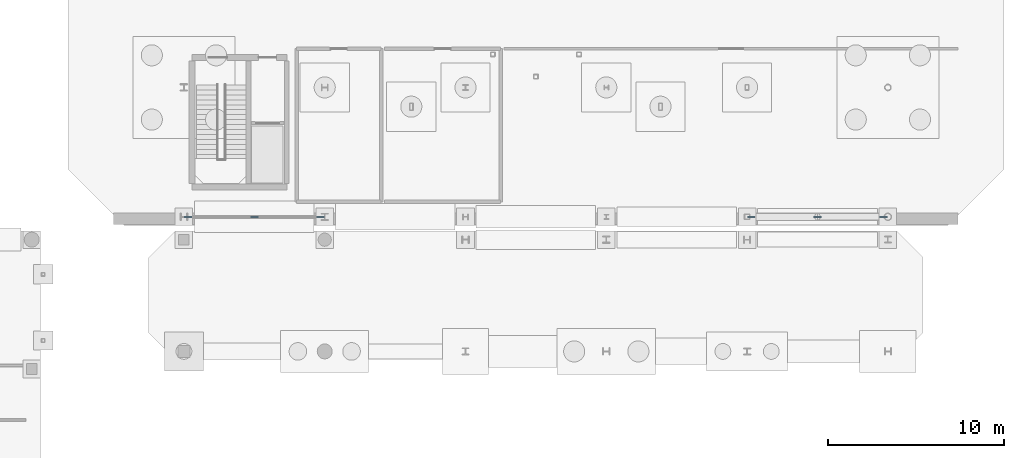
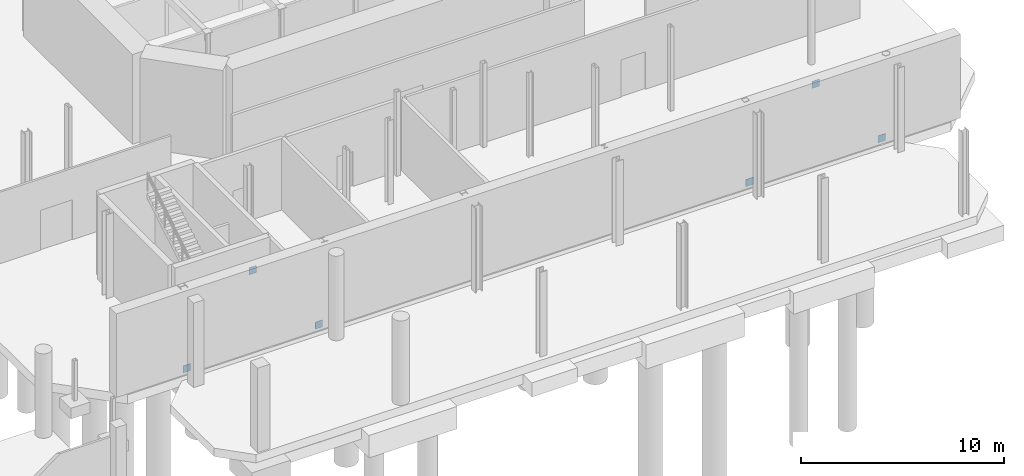
# One storey, part 26 of 33: 6 discrete accessories.
"""IFC4 building model written with IfcOpenShell, lengths in metres."""

import ifcopenshell
import ifcopenshell.guid

model = None  # the IFC model being written
_history = None  # IfcOwnerHistory: only IFC2X3 demands one
_inside = {}  # id of a spatial element -> (the spatial element, [elements in it])
_under = {}  # id of a project, library or spatial element -> (it, [spatial elements below it])
_declared = {}  # id of a project -> (the project, [libraries it declares])
_typed = {}  # id of a type object -> (the type object, [elements of that type])
_made_of = {}  # id of a material, layer set ... -> (it, [elements and type objects made of it])


def new_model(schema):
    """Start an empty IFC model of exactly this schema.

    Asked for "IFC4X3", IfcOpenShell would pick the latest addendum, in which some entities
    have other attributes; the version numbers below select the first issue.
    IFC2X3 requires an IfcOwnerHistory on every rooted entity: one is made here for all.
    """
    global model, _history
    if schema == "IFC4X3":
        model = ifcopenshell.file(schema_version=(4, 3, 0, 0))
    else:
        model = ifcopenshell.file(schema=schema)
    _inside.clear()
    _under.clear()
    _declared.clear()
    _typed.clear()
    _made_of.clear()
    _history = None
    if model.schema == "IFC2X3":
        org = make("IfcOrganization", Name="unknown")
        user = make(
            "IfcPersonAndOrganization",
            ThePerson=make("IfcPerson", FamilyName="unknown"),
            TheOrganization=org,
        )
        app = make(
            "IfcApplication",
            ApplicationDeveloper=org,
            Version="unknown",
            ApplicationFullName="unknown",
            ApplicationIdentifier="unknown",
        )
        _history = make(
            "IfcOwnerHistory",
            OwningUser=user,
            OwningApplication=app,
            ChangeAction="ADDED",
            CreationDate=0,
        )
    return model


def make(cls, **values):
    """One entity of the class cls with the attributes given. An attribute that is None is left unset."""
    return model.create_entity(
        cls, **{name: value for name, value in values.items() if value is not None}
    )


def rooted(cls, **values):
    """An entity with a GlobalId (a new one), such as an element, a storey or a relation."""
    return make(cls, GlobalId=ifcopenshell.guid.new(), OwnerHistory=_history, **values)


def si_unit(unit_type, name, prefix=None):
    """IfcSIUnit, for example si_unit("LENGTHUNIT", "METRE", prefix="MILLI")."""
    return make("IfcSIUnit", UnitType=unit_type, Prefix=prefix, Name=name)


def assignment(units):
    """IfcUnitAssignment: the units of a project."""
    return None if units is None else make("IfcUnitAssignment", Units=units)


def point(xyz):
    """IfcCartesianPoint."""
    return None if xyz is None else make("IfcCartesianPoint", Coordinates=xyz)


def direction(xyz):
    """IfcDirection."""
    return None if xyz is None else make("IfcDirection", DirectionRatios=xyz)


def frame(location, z_axis=None, x_axis=None):
    """IfcAxis2Placement3D, a coordinate frame: its origin and axes. An axis left out is left unset."""
    return make(
        "IfcAxis2Placement3D",
        Location=point(location),
        Axis=direction(z_axis),
        RefDirection=direction(x_axis),
    )


def frame_2d(location, x_axis=None):
    """IfcAxis2Placement2D, a coordinate frame in the plane: its origin and x axis."""
    return make(
        "IfcAxis2Placement2D", Location=point(location), RefDirection=direction(x_axis)
    )


def origin():
    """The frame at (0, 0, 0) with its axes left unset."""
    return frame((0.0, 0.0, 0.0))


def origin_2d():
    """The frame at (0, 0) in the plane with its x axis left unset."""
    return frame_2d((0.0, 0.0))


def place(relative_to, where):
    """IfcLocalPlacement: puts the frame where relative to a parent placement (None: the world)."""
    return make(
        "IfcLocalPlacement", PlacementRelTo=relative_to, RelativePlacement=where
    )


def context(
    kind, dimensions, precision=None, world=None, true_north=None, identifier=None
):
    """IfcGeometricRepresentationContext, for example the 3D "Model" context."""
    return make(
        "IfcGeometricRepresentationContext",
        ContextIdentifier=identifier,
        ContextType=kind,
        CoordinateSpaceDimension=dimensions,
        Precision=precision,
        WorldCoordinateSystem=world,
        TrueNorth=true_north,
    )


def subcontext(parent, identifier, kind, view, scale=None):
    """IfcGeometricRepresentationSubContext, for example "Body" below "Model"."""
    return make(
        "IfcGeometricRepresentationSubContext",
        ContextIdentifier=identifier,
        ContextType=kind,
        ParentContext=parent,
        TargetScale=scale,
        TargetView=view,
    )


def project(units=None, contexts=None):
    """IfcProject with its units and contexts."""
    return rooted(
        "IfcProject",
        Name="project",
        RepresentationContexts=contexts,
        UnitsInContext=assignment(units),
    )


def spatial(cls, under=None, at=None, **own):
    """A site, building, storey or space (cls), placed at a placement, below another one or the project."""
    s = rooted(cls, ObjectPlacement=at, **own)
    if under is not None:
        _under.setdefault(under.id(), (under, []))[1].append(s)
    return s


def profile(cls, at=None, kind="AREA", **sizes):
    """A parametric profile (cls). Its sizes go by their IFC names, for example OverallWidth=200.0."""
    return make(cls, ProfileType=kind, Position=at, **sizes)


def rectangle(**sizes):
    """IfcRectangleProfileDef."""
    return profile("IfcRectangleProfileDef", **sizes)


def extrude(swept, where, along, depth):
    """IfcExtrudedAreaSolid: the profile swept, set in the frame where, extruded along a direction by depth."""
    return make(
        "IfcExtrudedAreaSolid",
        SweptArea=swept,
        Position=where,
        ExtrudedDirection=direction(along),
        Depth=depth,
    )


def shape(context_of_items, identifier, shape_type, items):
    """IfcShapeRepresentation: the items that make up one representation, for example the "Body"."""
    return make(
        "IfcShapeRepresentation",
        ContextOfItems=context_of_items,
        RepresentationIdentifier=identifier,
        RepresentationType=shape_type,
        Items=items,
    )


def material(Name=None, Category=None):
    """IfcMaterial."""
    return make("IfcMaterial", Name=Name, Category=Category)


def made_of(thing, what):
    """Note that an element or type object is made of a material, layer set ...; save() writes the relation."""
    if what is not None:
        _made_of.setdefault(what.id(), (what, []))[1].append(thing)
    return thing


def type_object(cls, material=None, **own):
    """A type object (cls), such as IfcWallType, which elements share."""
    return made_of(rooted(cls, **own), material)


def element(
    cls,
    number,
    at=None,
    inside=None,
    cuts=None,
    type_object=None,
    material=None,
    context=None,
    identifier="Body",
    shape_type=None,
    held_by="IfcProductDefinitionShape",
    body=None,
    shapes=None,
    **own,
):
    """One element of the class cls, such as IfcWall. Its Tag is "e" and its number.

    at: its placement. inside: the storey or other place that contains it. cuts: it is an
    opening in that element (IfcRelVoidsElement). A single representation is given by context,
    identifier, shape_type and body (its items); several are given by shapes. held_by: the class
    of the entity that holds the representations. save() writes the other relations.
    """
    e = rooted(cls, Tag="e%d" % number, ObjectPlacement=at, **own)
    if body is not None:
        shapes = [shape(context, identifier, shape_type, body)]
    if shapes is not None:
        e.Representation = make(held_by, Representations=shapes)
    if inside is not None:
        _inside.setdefault(inside.id(), (inside, []))[1].append(e)
    if cuts is not None:
        rooted(
            "IfcRelVoidsElement", RelatingBuildingElement=cuts, RelatedOpeningElement=e
        )
    if type_object is not None:
        _typed.setdefault(type_object.id(), (type_object, []))[1].append(e)
    return made_of(e, material)


def aggregate(whole, parts):
    """IfcRelAggregates: a whole, such as a stair, and the parts it consists of."""
    return rooted("IfcRelAggregates", RelatingObject=whole, RelatedObjects=parts)


def save(model, path):
    """Write the relations noted so far, then the file.

    IfcRelAggregates (storeys below a building ...), IfcRelContainedInSpatialStructure (elements
    in a storey), IfcRelDefinesByType, IfcRelAssociatesMaterial and IfcRelDeclares: one each for
    every whole, place, type object, material and project.
    """
    for whole, parts in _under.values():
        aggregate(whole, parts)
    for where, things in _inside.values():
        rooted(
            "IfcRelContainedInSpatialStructure",
            RelatedElements=things,
            RelatingStructure=where,
        )
    for kind, things in _typed.values():
        rooted("IfcRelDefinesByType", RelatedObjects=things, RelatingType=kind)
    for what, things in _made_of.values():
        rooted("IfcRelAssociatesMaterial", RelatedObjects=things, RelatingMaterial=what)
    for by, libraries in _declared.values():
        rooted("IfcRelDeclares", RelatingContext=by, RelatedDefinitions=libraries)
    model.write(path)


model = new_model("IFC4")

# Units and contexts
model_context = context("Model", 3, precision=1e-05, world=origin(), true_north=direction((0.0, 1.0)))
body_context = subcontext(model_context, "Body", "Model", "MODEL_VIEW")
ifc_project = project(units=[si_unit("LENGTHUNIT", "METRE"), si_unit("AREAUNIT", "SQUARE_METRE"), si_unit("VOLUMEUNIT", "CUBIC_METRE"), si_unit("PLANEANGLEUNIT", "RADIAN"), si_unit("MASSUNIT", "GRAM", prefix="KILO")], contexts=[model_context])

# Site, building, storey
site_placement = place(None, origin())
site = spatial("IfcSite", under=ifc_project, at=site_placement, CompositionType="ELEMENT")
building_placement = place(site_placement, origin())
building = spatial("IfcBuilding", under=site, at=building_placement, Name="Brisemont Oceanarium", CompositionType="ELEMENT")
storey_placement = place(building_placement, frame((0.0, 0.0, -5.39990234375)))
storey = spatial("IfcBuildingStorey", under=building, at=storey_placement, Name="B01", CompositionType="ELEMENT", Elevation=-5.39990234375)

# Discrete accessories
ifc_material = material(Name="Structural Steel ASTM A572 Gr.50", Category="steel")
discrete_accessory_type = type_object("IfcDiscreteAccessoryType", Name="ACC-CAP-STL", PredefinedType="ANCHORPLATE", material=ifc_material)
for number, where, z_axis, x_axis, name in (
    (1, (64.239990234375, 32.64990234375, -0.18994140625), (0.0, 0.0, 1.0), (1.0, 0.0, 0.0), "V1 B01 chevron brace gusset connection WL"),
    (2, (71.760009765625, 32.64990234375, -0.18994140625), (0.0, 0.0, 1.0), (1.0, 0.0, 0.0), "V1 B01 chevron brace gusset connection ER"),
    (3, (68.0, 32.64990234375, 4.389892578125), (0.0, 0.0, 1.0), (1.0, 0.0, 0.0), "V1 B01 chevron brace gusset connection AP"),
    (4, (96.239990234375, 32.64990234375, -0.18994140625), (0.0, 0.0, 1.0), (1.0, 0.0, 0.0), "V1 B01 chevron brace gusset connection WL"),
    (5, (103.760009765625, 32.64990234375, -0.18994140625), (0.0, 0.0, 1.0), (1.0, 0.0, 0.0), "V1 B01 chevron brace gusset connection ER"),
    (6, (100.0, 32.64990234375, 4.389892578125), (0.0, 0.0, 1.0), (1.0, 0.0, 0.0), "V1 B01 chevron brace gusset connection AP"),
):
    element("IfcDiscreteAccessory", number, at=place(storey_placement, frame(where, z_axis=z_axis, x_axis=x_axis)), inside=storey, type_object=discrete_accessory_type, Name=name, PredefinedType="ANCHORPLATE", context=body_context, shape_type="SweptSolid", body=[
        extrude(rectangle(XDim=0.419921875, YDim=0.031982421875, at=origin_2d()), origin(), (0.0, 0.0, 1.0), 0.419921875),
    ])

save(model, "model.ifc")
